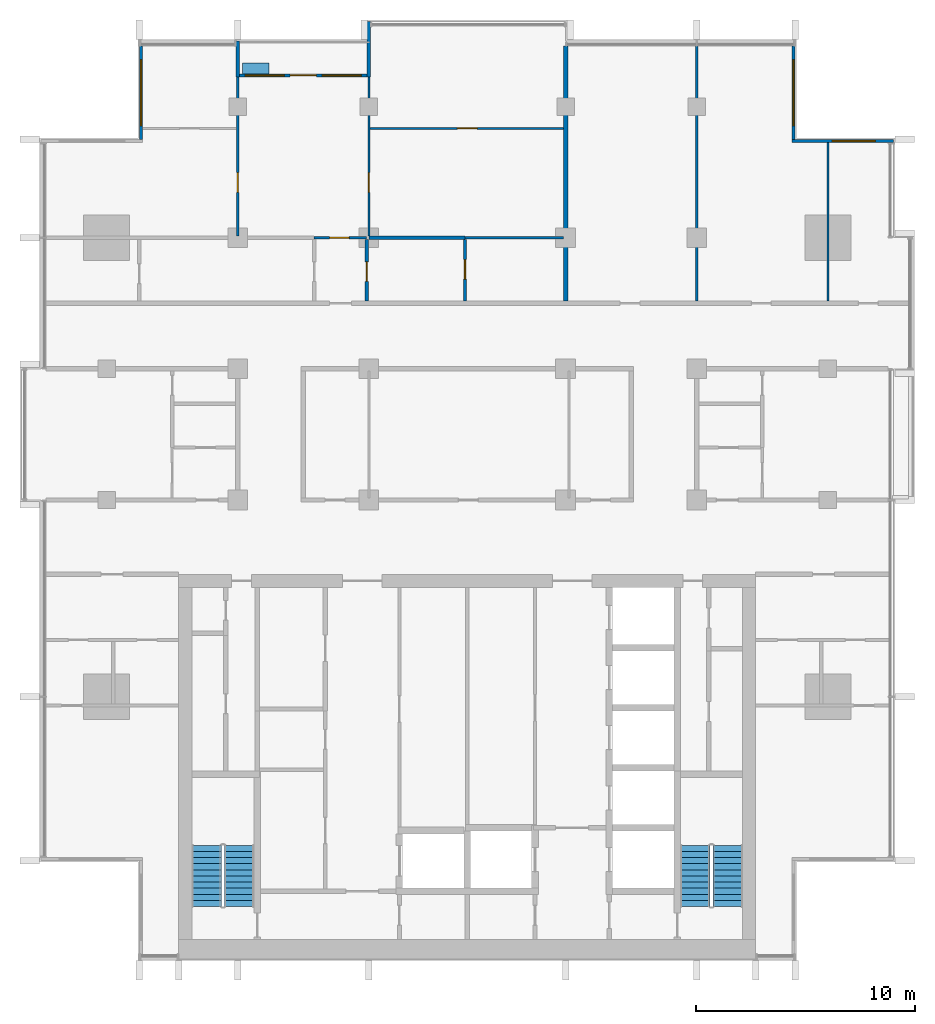
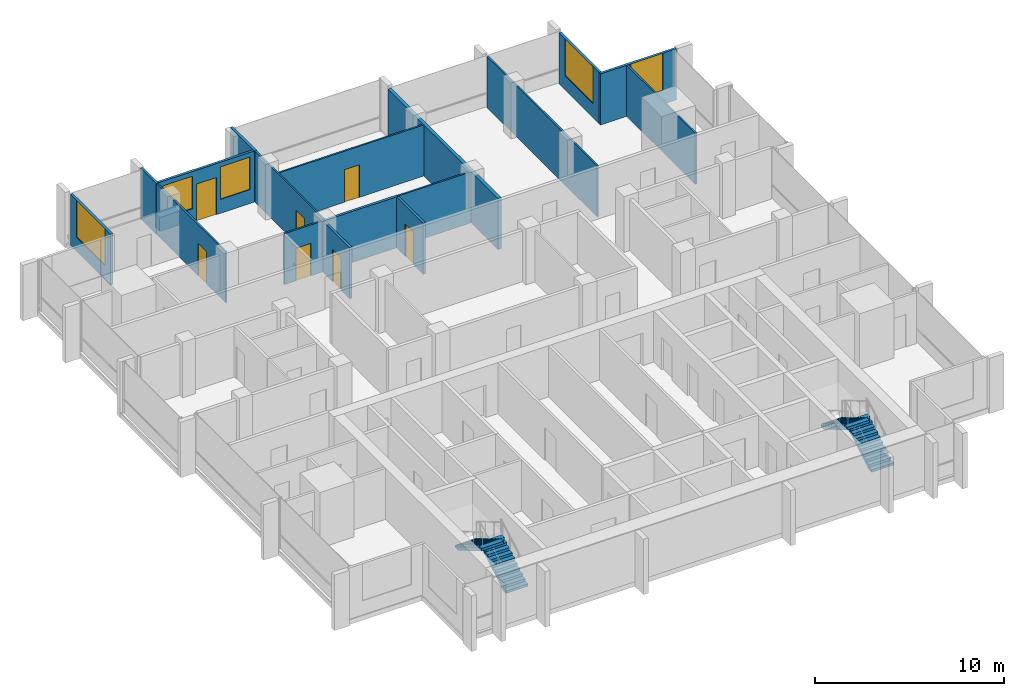
# One storey, part 10 of 15: 18 walls, 7 doors, 5 windows, 4 stair flights, 12 openings, 2 elements without a shape of their own.
"""IFC4 building model written with IfcOpenShell, lengths in metres."""

from ifc_helpers import new_model, si_unit, direction, frame, frame_2d, origin, place, context, subcontext, project, spatial, polyline, rectangle, outline, extrude, material, layer, layer_set, type_object, element, fill, aggregate, save


model = new_model("IFC4")

# Units and contexts
model_context = context("Model", 3, precision=1e-05, world=origin(), true_north=direction((0.0, 1.0)))
body_context = subcontext(model_context, "Body", "Model", "MODEL_VIEW")
ifc_project = project(units=[si_unit("LENGTHUNIT", "METRE"), si_unit("AREAUNIT", "SQUARE_METRE"), si_unit("VOLUMEUNIT", "CUBIC_METRE"), si_unit("PLANEANGLEUNIT", "RADIAN"), si_unit("MASSUNIT", "GRAM", prefix="KILO")], contexts=[model_context])

# Site, building, storey
site_placement = place(None, origin())
site = spatial("IfcSite", under=ifc_project, at=site_placement, CompositionType="ELEMENT")
building_placement = place(site_placement, origin())
building = spatial("IfcBuilding", under=site, at=building_placement, Name="Finial Court Residences", CompositionType="ELEMENT")
storey_placement = place(building_placement, frame((0.0, 0.0, 226.699951171875)))
storey = spatial("IfcBuildingStorey", under=building, at=storey_placement, Name="L57", CompositionType="ELEMENT", Elevation=226.699951171875)

# Wall
ifc_material_1 = material(Name="Gypsum board")
ifc_layer_1 = layer(ifc_material_1, 0.02490234375)
ifc_material_2 = material(Name="Acoustic mineral wool in double frame")
ifc_layer_2 = layer(ifc_material_2, 0.14990234375)
ifc_layer_3 = layer(ifc_material_1, 0.02490234375)
ifc_layer_set_1 = layer_set([ifc_layer_1, ifc_layer_2, ifc_layer_3], Name="Corridor wall 200, 1 hour")
wall_type_1 = type_object("IfcWallType", Name="Corridor wall 200, 1 hour", PredefinedType="PARTITIONING", material=ifc_layer_set_1)
wall_1_placement = place(storey_placement, frame((4.5, 4.60009765625, 0.0), z_axis=(0.0, 0.0, 1.0), x_axis=(0.0, 1.0, 0.0)))
element("IfcWall", 1, at=wall_1_placement, inside=storey, type_object=wall_type_1, Name="Partition L57-035", PredefinedType="PARTITIONING", context=body_context, shape_type="SweptSolid", body=[
    extrude(rectangle(XDim=11.662353515625, YDim=0.199951171875, at=frame_2d((5.8310546875, 0.0))), origin(), (0.0, 0.0, 1.0), 3.300048828125),
])

# Wall, opening, door
ifc_layer_4 = layer(ifc_material_1, 0.012451171875)
ifc_material_3 = material(Name="Mineral wool in light-gauge frame")
ifc_layer_5 = layer(ifc_material_3, 0.074951171875)
ifc_layer_6 = layer(ifc_material_1, 0.012451171875)
ifc_layer_set_2 = layer_set([ifc_layer_4, ifc_layer_5, ifc_layer_6], Name="Gypsum board partition 100")
wall_type_2 = type_object("IfcWallType", Name="Gypsum board partition 100", PredefinedType="PARTITIONING", material=ifc_layer_set_2)
wall_2_placement = place(storey_placement, frame((-7.0, 7.5, 0.0), z_axis=(0.0, 0.0, 1.0), x_axis=(1.0, 0.0, 0.0)))
wall_2 = element("IfcWall", 2, at=wall_2_placement, inside=storey, type_object=wall_type_2, Name="Partition L57-017", PredefinedType="PARTITIONING", context=body_context, shape_type="SweptSolid", body=[
    extrude(rectangle(XDim=2.39990234375, YDim=0.10009765625, at=frame_2d((1.199951171875, 0.0))), origin(), (0.0, 0.0, 1.0), 3.300048828125),
])
opening_1_placement = place(wall_2_placement, frame((0.699951171875, 0.0, 0.0)))
opening_1 = element("IfcOpeningElement", 3, at=opening_1_placement, cuts=wall_2, Name="Opening L57-D020", PredefinedType="OPENING", context=body_context, shape_type="SweptSolid", body=[
    extrude(rectangle(XDim=0.89990234375, YDim=2.10009765625, at=frame_2d((0.449951171875, 1.050048828125))), frame((0.0, 0.06005859375, 0.0), z_axis=(0.0, -1.0, 0.0), x_axis=(1.0, 0.0, 0.0)), (0.0, 0.0, 1.0), 0.1201171875),
])
ifc_material_4 = material(Name="Timber door leaf in timber frame", Category="wood")
door_type_1 = type_object("IfcDoorType", Name="Door set 900 x 2100", OperationType="SINGLE_SWING_LEFT", PredefinedType="DOOR", material=ifc_material_4)
door_1_placement = place(opening_1_placement, origin())
door_1 = element("IfcDoor", 4, at=door_1_placement, inside=storey, type_object=door_type_1, Name="Door L57-D020", OperationType="SINGLE_SWING_LEFT", OverallHeight=2.10009765625, OverallWidth=0.89990234375, PredefinedType="DOOR", context=body_context, shape_type="SweptSolid", body=[
    extrude(rectangle(XDim=0.89990234375, YDim=2.10009765625, at=frame_2d((0.449951171875, 1.050048828125))), frame((0.0, 0.02490234375, 0.0), z_axis=(0.0, -1.0, 0.0), x_axis=(1.0, 0.0, 0.0)), (0.0, 0.0, 1.0), 0.050048828125),
])
fill(opening_1, door_1)

# Wall
wall_3_placement = place(storey_placement, frame((-0.10009765625, 7.5, 0.0), z_axis=(0.0, 0.0, 1.0), x_axis=(1.0, 0.0, 0.0)))
element("IfcWall", 5, at=wall_3_placement, inside=storey, type_object=wall_type_2, Name="Partition L57-018", PredefinedType="PARTITIONING", context=body_context, shape_type="SweptSolid", body=[
    extrude(rectangle(XDim=4.5, YDim=0.10009765625, at=frame_2d((2.25, 0.0))), origin(), (0.0, 0.0, 1.0), 3.300048828125),
])

# Wall, opening, door
wall_4_placement = place(storey_placement, frame((-4.449951171875, 12.5, 0.0), z_axis=(0.0, 0.0, 1.0), x_axis=(1.0, 0.0, 0.0)))
wall_4 = element("IfcWall", 6, at=wall_4_placement, inside=storey, type_object=wall_type_2, Name="Partition L57-022", PredefinedType="PARTITIONING", context=body_context, shape_type="SweptSolid", body=[
    extrude(rectangle(XDim=8.849853515625, YDim=0.10009765625, at=frame_2d((4.4248046875, 0.0))), origin(), (0.0, 0.0, 1.0), 3.300048828125),
])
opening_2_placement = place(wall_4_placement, frame((4.0, 0.0, 0.0)))
opening_2 = element("IfcOpeningElement", 7, at=opening_2_placement, cuts=wall_4, Name="Opening L57-D022", PredefinedType="OPENING", context=body_context, shape_type="SweptSolid", body=[
    extrude(rectangle(XDim=0.89990234375, YDim=2.10009765625, at=frame_2d((0.449951171875, 1.050048828125))), frame((0.0, 0.06005859375, 0.0), z_axis=(0.0, -1.0, 0.0), x_axis=(1.0, 0.0, 0.0)), (0.0, 0.0, 1.0), 0.1201171875),
])
door_2_placement = place(opening_2_placement, origin())
door_2 = element("IfcDoor", 8, at=door_2_placement, inside=storey, type_object=door_type_1, Name="Door L57-D022", OperationType="SINGLE_SWING_LEFT", OverallHeight=2.10009765625, OverallWidth=0.89990234375, PredefinedType="DOOR", context=body_context, shape_type="SweptSolid", body=[
    extrude(rectangle(XDim=0.89990234375, YDim=2.10009765625, at=frame_2d((0.449951171875, 1.050048828125))), frame((0.0, 0.02490234375, 0.0), z_axis=(0.0, -1.0, 0.0), x_axis=(1.0, 0.0, 0.0)), (0.0, 0.0, 1.0), 0.050048828125),
])
fill(opening_2, door_2)

wall_5_placement = place(storey_placement, frame((-10.5, 7.574951171875, 0.0), z_axis=(0.0, 0.0, 1.0), x_axis=(0.0, 1.0, 0.0)))
wall_5 = element("IfcWall", 9, at=wall_5_placement, inside=storey, type_object=wall_type_2, Name="Partition L57-028", PredefinedType="PARTITIONING", context=body_context, shape_type="SweptSolid", body=[
    extrude(rectangle(XDim=7.275146484375, YDim=0.10009765625, at=frame_2d((3.6376953125, 0.0))), origin(), (0.0, 0.0, 1.0), 3.300048828125),
])
opening_3_placement = place(wall_5_placement, frame((2.0, 0.0, 0.0)))
opening_3 = element("IfcOpeningElement", 10, at=opening_3_placement, cuts=wall_5, Name="Opening L57-D026", PredefinedType="OPENING", context=body_context, shape_type="SweptSolid", body=[
    extrude(rectangle(XDim=0.89990234375, YDim=2.10009765625, at=frame_2d((0.449951171875, 1.050048828125))), frame((0.0, 0.06005859375, 0.0), z_axis=(0.0, -1.0, 0.0), x_axis=(1.0, 0.0, 0.0)), (0.0, 0.0, 1.0), 0.1201171875),
])
door_3_placement = place(opening_3_placement, origin())
door_3 = element("IfcDoor", 11, at=door_3_placement, inside=storey, type_object=door_type_1, Name="Door L57-D026", OperationType="SINGLE_SWING_RIGHT", OverallHeight=2.10009765625, OverallWidth=0.89990234375, PredefinedType="DOOR", context=body_context, shape_type="SweptSolid", body=[
    extrude(rectangle(XDim=0.89990234375, YDim=2.10009765625, at=frame_2d((0.449951171875, 1.050048828125))), frame((0.0, 0.02490234375, 0.0), z_axis=(0.0, -1.0, 0.0), x_axis=(1.0, 0.0, 0.0)), (0.0, 0.0, 1.0), 0.050048828125),
])
fill(opening_3, door_3)

wall_6_placement = place(storey_placement, frame((-4.5, 7.574951171875, 0.0), z_axis=(0.0, 0.0, 1.0), x_axis=(0.0, 1.0, 0.0)))
wall_6 = element("IfcWall", 12, at=wall_6_placement, inside=storey, type_object=wall_type_2, Name="Partition L57-033", PredefinedType="PARTITIONING", context=body_context, shape_type="SweptSolid", body=[
    extrude(rectangle(XDim=7.275146484375, YDim=0.10009765625, at=frame_2d((3.6376953125, 0.0))), origin(), (0.0, 0.0, 1.0), 3.300048828125),
])
opening_4_placement = place(wall_6_placement, frame((2.0, 0.0, 0.0)))
opening_4 = element("IfcOpeningElement", 13, at=opening_4_placement, cuts=wall_6, Name="Opening L57-D029", PredefinedType="OPENING", context=body_context, shape_type="SweptSolid", body=[
    extrude(rectangle(XDim=0.89990234375, YDim=2.10009765625, at=frame_2d((0.449951171875, 1.050048828125))), frame((0.0, 0.06005859375, 0.0), z_axis=(0.0, -1.0, 0.0), x_axis=(1.0, 0.0, 0.0)), (0.0, 0.0, 1.0), 0.1201171875),
])
door_4_placement = place(opening_4_placement, origin())
door_4 = element("IfcDoor", 14, at=door_4_placement, inside=storey, type_object=door_type_1, Name="Door L57-D029", OperationType="SINGLE_SWING_LEFT", OverallHeight=2.10009765625, OverallWidth=0.89990234375, PredefinedType="DOOR", context=body_context, shape_type="SweptSolid", body=[
    extrude(rectangle(XDim=0.89990234375, YDim=2.10009765625, at=frame_2d((0.449951171875, 1.050048828125))), frame((0.0, 0.02490234375, 0.0), z_axis=(0.0, -1.0, 0.0), x_axis=(1.0, 0.0, 0.0)), (0.0, 0.0, 1.0), 0.050048828125),
])
fill(opening_4, door_4)

# Walls
wall_7_placement = place(storey_placement, frame((10.5, 4.60009765625, 0.0), z_axis=(0.0, 0.0, 1.0), x_axis=(0.0, 1.0, 0.0)))
element("IfcWall", 15, at=wall_7_placement, inside=storey, type_object=wall_type_2, Name="Partition L57-039", PredefinedType="PARTITIONING", context=body_context, shape_type="SweptSolid", body=[
    extrude(rectangle(XDim=11.662353515625, YDim=0.10009765625, at=frame_2d((5.8310546875, 0.0))), origin(), (0.0, 0.0, 1.0), 3.300048828125),
])
wall_8_placement = place(storey_placement, frame((16.5, 4.60009765625, 0.0), z_axis=(0.0, 0.0, 1.0), x_axis=(0.0, 1.0, 0.0)))
element("IfcWall", 16, at=wall_8_placement, inside=storey, type_object=wall_type_2, Name="Partition L57-043", PredefinedType="PARTITIONING", context=body_context, shape_type="SweptSolid", body=[
    extrude(rectangle(XDim=7.25, YDim=0.10009765625, at=frame_2d((3.625, 0.0))), origin(), (0.0, 0.0, 1.0), 3.300048828125),
])
ifc_material_5 = material(Name="Moisture-resistant gypsum board")
ifc_layer_7 = layer(ifc_material_5, 0.012451171875)
ifc_layer_8 = layer(ifc_material_3, 0.125)
ifc_layer_9 = layer(ifc_material_5, 0.012451171875)
ifc_layer_set_3 = layer_set([ifc_layer_7, ifc_layer_8, ifc_layer_9], Name="Gypsum board wet-area partition 150")
wall_type_3 = type_object("IfcWallType", Name="Gypsum board wet-area partition 150", PredefinedType="PARTITIONING", material=ifc_layer_set_3)
wall_9_placement = place(storey_placement, frame((-4.5, 7.5, 0.0), z_axis=(0.0, 0.0, 1.0), x_axis=(1.0, 0.0, 0.0)))
element("IfcWall", 17, at=wall_9_placement, inside=storey, type_object=wall_type_3, Name="Partition L57-020", PredefinedType="PARTITIONING", context=body_context, shape_type="SweptSolid", body=[
    extrude(rectangle(XDim=4.39990234375, YDim=0.14990234375, at=frame_2d((2.199951171875, 0.0))), origin(), (0.0, 0.0, 1.0), 3.300048828125),
])

# Wall, opening, door
wall_10_placement = place(storey_placement, frame((-4.60009765625, 4.60009765625, 0.0), z_axis=(0.0, 0.0, 1.0), x_axis=(0.0, 1.0, 0.0)))
wall_10 = element("IfcWall", 18, at=wall_10_placement, inside=storey, type_object=wall_type_3, Name="Partition L57-031", PredefinedType="PARTITIONING", context=body_context, shape_type="SweptSolid", body=[
    extrude(rectangle(XDim=2.824951171875, YDim=0.14990234375, at=frame_2d((1.41259765625, 0.0))), origin(), (0.0, 0.0, 1.0), 3.300048828125),
])
opening_5_placement = place(wall_10_placement, frame((0.89990234375, 0.0, 0.0)))
opening_5 = element("IfcOpeningElement", 19, at=opening_5_placement, cuts=wall_10, Name="Opening L57-D028", PredefinedType="OPENING", context=body_context, shape_type="SweptSolid", body=[
    extrude(rectangle(XDim=0.89990234375, YDim=2.10009765625, at=frame_2d((0.449951171875, 1.050048828125))), frame((0.0, 0.0849609375, 0.0), z_axis=(0.0, -1.0, 0.0), x_axis=(1.0, 0.0, 0.0)), (0.0, 0.0, 1.0), 0.169921875),
])
door_5_placement = place(opening_5_placement, origin())
door_5 = element("IfcDoor", 20, at=door_5_placement, inside=storey, type_object=door_type_1, Name="Door L57-D028", OperationType="SINGLE_SWING_RIGHT", OverallHeight=2.10009765625, OverallWidth=0.89990234375, PredefinedType="DOOR", context=body_context, shape_type="SweptSolid", body=[
    extrude(rectangle(XDim=0.89990234375, YDim=2.10009765625, at=frame_2d((0.449951171875, 1.050048828125))), frame((0.0, 0.02490234375, 0.0), z_axis=(0.0, -1.0, 0.0), x_axis=(1.0, 0.0, 0.0)), (0.0, 0.0, 1.0), 0.050048828125),
])
fill(opening_5, door_5)

wall_11_placement = place(storey_placement, frame((-0.10009765625, 4.60009765625, 0.0), z_axis=(0.0, 0.0, 1.0), x_axis=(0.0, 1.0, 0.0)))
wall_11 = element("IfcWall", 21, at=wall_11_placement, inside=storey, type_object=wall_type_3, Name="Partition L57-034", PredefinedType="PARTITIONING", context=body_context, shape_type="SweptSolid", body=[
    extrude(rectangle(XDim=2.824951171875, YDim=0.14990234375, at=frame_2d((1.41259765625, 0.0))), origin(), (0.0, 0.0, 1.0), 3.300048828125),
])
opening_6_placement = place(wall_11_placement, frame((1.0, 0.0, 0.0)))
opening_6 = element("IfcOpeningElement", 22, at=opening_6_placement, cuts=wall_11, Name="Opening L57-D030", PredefinedType="OPENING", context=body_context, shape_type="SweptSolid", body=[
    extrude(rectangle(XDim=0.89990234375, YDim=2.10009765625, at=frame_2d((0.449951171875, 1.050048828125))), frame((0.0, 0.0849609375, 0.0), z_axis=(0.0, -1.0, 0.0), x_axis=(1.0, 0.0, 0.0)), (0.0, 0.0, 1.0), 0.169921875),
])
door_6_placement = place(opening_6_placement, origin())
door_6 = element("IfcDoor", 23, at=door_6_placement, inside=storey, type_object=door_type_1, Name="Door L57-D030", OperationType="SINGLE_SWING_RIGHT", OverallHeight=2.10009765625, OverallWidth=0.89990234375, PredefinedType="DOOR", context=body_context, shape_type="SweptSolid", body=[
    extrude(rectangle(XDim=0.89990234375, YDim=2.10009765625, at=frame_2d((0.449951171875, 1.050048828125))), frame((0.0, 0.02490234375, 0.0), z_axis=(0.0, -1.0, 0.0), x_axis=(1.0, 0.0, 0.0)), (0.0, 0.0, 1.0), 0.050048828125),
])
fill(opening_6, door_6)

# Wall, opening, window
ifc_material_6 = material(Name="Natural limestone", Category="masonry")
ifc_layer_10 = layer(ifc_material_6, 0.14990234375)
ifc_layer_set_4 = layer_set([ifc_layer_10], Name="Limestone clad wall 150")
wall_type_4 = type_object("IfcWallType", Name="Limestone clad wall 150", PredefinedType="SOLIDWALL", material=ifc_layer_set_4)
wall_12_placement = place(storey_placement, frame((-14.925048828125, 12.0, 0.0), z_axis=(0.0, 0.0, 1.0), x_axis=(0.0, 1.0, 0.0)))
wall_12 = element("IfcWall", 24, at=wall_12_placement, inside=storey, type_object=wall_type_4, Name="E-L57-NWW16", PredefinedType="SOLIDWALL", context=body_context, shape_type="SweptSolid", body=[
    extrude(rectangle(XDim=4.262451171875, YDim=0.14990234375, at=frame_2d((2.13134765625, 0.0))), origin(), (0.0, 0.0, 1.0), 3.300048828125),
])
opening_7_placement = place(wall_12_placement, frame((0.631103515625, 0.0, 0.89990234375)))
opening_7 = element("IfcOpeningElement", 25, at=opening_7_placement, cuts=wall_12, Name="Opening WE57-05", PredefinedType="OPENING", context=body_context, shape_type="SweptSolid", body=[
    extrude(rectangle(XDim=3.0, YDim=2.39990234375, at=frame_2d((1.5, 1.199951171875))), frame((0.0, 0.0849609375, 0.0), z_axis=(0.0, -1.0, 0.0), x_axis=(1.0, 0.0, 0.0)), (0.0, 0.0, 1.0), 0.169921875),
])
ifc_material_7 = material(Name="Clear low-e glass", Category="glass")
window_type_1 = type_object("IfcWindowType", Name="Corner window 3000 x 2400", PartitioningType="SINGLE_PANEL", PredefinedType="WINDOW", material=ifc_material_7)
window_1_placement = place(opening_7_placement, origin())
window_1 = element("IfcWindow", 26, at=window_1_placement, inside=storey, type_object=window_type_1, Name="E-L57-NWW16-W1", OverallHeight=2.39990234375, OverallWidth=3.0, PartitioningType="SINGLE_PANEL", PredefinedType="WINDOW", context=body_context, shape_type="SweptSolid", body=[
    extrude(rectangle(XDim=3.0, YDim=2.39990234375, at=frame_2d((1.5, 1.199951171875))), frame((0.0, 0.030029296875, 0.0), z_axis=(0.0, -1.0, 0.0), x_axis=(1.0, 0.0, 0.0)), (0.0, 0.0, 1.0), 0.06005859375),
])
fill(opening_7, window_1)

wall_13_placement = place(storey_placement, frame((14.925048828125, 16.262451171875, 0.0), z_axis=(0.0, 0.0, 1.0), x_axis=(0.0, -1.0, 0.0)))
wall_13 = element("IfcWall", 27, at=wall_13_placement, inside=storey, type_object=wall_type_4, Name="E-L57-NWE18", PredefinedType="SOLIDWALL", context=body_context, shape_type="SweptSolid", body=[
    extrude(rectangle(XDim=4.262451171875, YDim=0.14990234375, at=frame_2d((2.13134765625, 0.0))), origin(), (0.0, 0.0, 1.0), 3.300048828125),
])
opening_8_placement = place(wall_13_placement, frame((0.631103515625, 0.0, 0.89990234375)))
opening_8 = element("IfcOpeningElement", 28, at=opening_8_placement, cuts=wall_13, Name="Opening WE57-07", PredefinedType="OPENING", context=body_context, shape_type="SweptSolid", body=[
    extrude(rectangle(XDim=3.0, YDim=2.39990234375, at=frame_2d((1.5, 1.199951171875))), frame((0.0, 0.0849609375, 0.0), z_axis=(0.0, -1.0, 0.0), x_axis=(1.0, 0.0, 0.0)), (0.0, 0.0, 1.0), 0.169921875),
])
window_2_placement = place(opening_8_placement, origin())
window_2 = element("IfcWindow", 29, at=window_2_placement, inside=storey, type_object=window_type_1, Name="E-L57-NWE18-W1", OverallHeight=2.39990234375, OverallWidth=3.0, PartitioningType="SINGLE_PANEL", PredefinedType="WINDOW", context=body_context, shape_type="SweptSolid", body=[
    extrude(rectangle(XDim=3.0, YDim=2.39990234375, at=frame_2d((1.5, 1.199951171875))), frame((0.0, 0.030029296875, 0.0), z_axis=(0.0, -1.0, 0.0), x_axis=(1.0, 0.0, 0.0)), (0.0, 0.0, 1.0), 0.06005859375),
])
fill(opening_8, window_2)

wall_14_placement = place(storey_placement, frame((14.85009765625, 11.925048828125, 0.0), z_axis=(0.0, 0.0, 1.0), x_axis=(1.0, 0.0, 0.0)))
wall_14 = element("IfcWall", 30, at=wall_14_placement, inside=storey, type_object=wall_type_4, Name="E-L57-NWN19", PredefinedType="SOLIDWALL", context=body_context, shape_type="SweptSolid", body=[
    extrude(rectangle(XDim=4.64990234375, YDim=0.14990234375, at=frame_2d((2.324951171875, 0.0))), origin(), (0.0, 0.0, 1.0), 3.300048828125),
])
opening_9_placement = place(wall_14_placement, frame((1.85009765625, 0.0, 0.89990234375)))
opening_9 = element("IfcOpeningElement", 31, at=opening_9_placement, cuts=wall_14, Name="Opening WE57-08", PredefinedType="OPENING", context=body_context, shape_type="SweptSolid", body=[
    extrude(rectangle(XDim=1.97509765625, YDim=2.39990234375, at=frame_2d((0.987548828125, 1.199951171875))), frame((0.0, 0.0849609375, 0.0), z_axis=(0.0, -1.0, 0.0), x_axis=(1.0, 0.0, 0.0)), (0.0, 0.0, 1.0), 0.169921875),
])
window_type_2 = type_object("IfcWindowType", Name="Corner window 1975 x 2400", PartitioningType="SINGLE_PANEL", PredefinedType="WINDOW", material=ifc_material_7)
window_3_placement = place(opening_9_placement, origin())
window_3 = element("IfcWindow", 32, at=window_3_placement, inside=storey, type_object=window_type_2, Name="E-L57-NWN19-W1", OverallHeight=2.39990234375, OverallWidth=1.97509765625, PartitioningType="SINGLE_PANEL", PredefinedType="WINDOW", context=body_context, shape_type="SweptSolid", body=[
    extrude(rectangle(XDim=1.97509765625, YDim=2.39990234375, at=frame_2d((0.987548828125, 1.199951171875))), frame((0.0, 0.030029296875, 0.0), z_axis=(0.0, -1.0, 0.0), x_axis=(1.0, 0.0, 0.0)), (0.0, 0.0, 1.0), 0.06005859375),
])
fill(opening_9, window_3)

# Walls
wall_15_placement = place(storey_placement, frame((-10.5, 14.85009765625, 0.0), z_axis=(0.0, 0.0, 1.0), x_axis=(0.0, 1.0, 0.0)))
element("IfcWall", 33, at=wall_15_placement, inside=storey, type_object=wall_type_4, Name="E-L57-BALN2-P1", PredefinedType="SOLIDWALL", context=body_context, shape_type="SweptSolid", body=[
    extrude(rectangle(XDim=1.64990234375, YDim=0.14990234375, at=frame_2d((0.824951171875, 0.0))), origin(), (0.0, 0.0, 1.0), 3.300048828125),
])
wall_16_placement = place(storey_placement, frame((-4.5, 14.85009765625, 0.0), z_axis=(0.0, 0.0, 1.0), x_axis=(0.0, 1.0, 0.0)))
element("IfcWall", 34, at=wall_16_placement, inside=storey, type_object=wall_type_4, Name="E-L57-BALN2-P2", PredefinedType="SOLIDWALL", context=body_context, shape_type="SweptSolid", body=[
    extrude(rectangle(XDim=2.5498046875, YDim=0.14990234375, at=frame_2d((1.27490234375, 0.0))), origin(), (0.0, 0.0, 1.0), 3.300048828125),
])

# Wall, openings, door, windows
wall_17_placement = place(storey_placement, frame((-10.425048828125, 14.925048828125, 0.0), z_axis=(0.0, 0.0, 1.0), x_axis=(1.0, 0.0, 0.0)))
wall_17 = element("IfcWall", 35, at=wall_17_placement, inside=storey, type_object=wall_type_4, Name="E-L57-L57-BALN2-W", PredefinedType="SOLIDWALL", context=body_context, shape_type="SweptSolid", body=[
    extrude(rectangle(XDim=5.85009765625, YDim=0.14990234375, at=frame_2d((2.925048828125, 0.0))), origin(), (0.0, 0.0, 1.0), 3.300048828125),
])
opening_10_placement = place(wall_17_placement, frame((2.324951171875, 0.0, 0.0)))
opening_10 = element("IfcOpeningElement", 36, at=opening_10_placement, cuts=wall_17, Name="Opening DE57-01", PredefinedType="OPENING", context=body_context, shape_type="SweptSolid", body=[
    extrude(rectangle(XDim=1.199951171875, YDim=2.39990234375, at=frame_2d((0.60009765625, 1.199951171875))), frame((0.0, 0.0849609375, 0.0), z_axis=(0.0, -1.0, 0.0), x_axis=(1.0, 0.0, 0.0)), (0.0, 0.0, 1.0), 0.169921875),
])
opening_11_placement = place(wall_17_placement, frame((0.262451171875, 0.0, 0.89990234375)))
opening_11 = element("IfcOpeningElement", 37, at=opening_11_placement, cuts=wall_17, Name="Opening WE57-09", PredefinedType="OPENING", context=body_context, shape_type="SweptSolid", body=[
    extrude(rectangle(XDim=1.800048828125, YDim=2.10009765625, at=frame_2d((0.89990234375, 1.050048828125))), frame((0.0, 0.0849609375, 0.0), z_axis=(0.0, -1.0, 0.0), x_axis=(1.0, 0.0, 0.0)), (0.0, 0.0, 1.0), 0.169921875),
])
opening_12_placement = place(wall_17_placement, frame((3.78759765625, 0.0, 0.89990234375)))
opening_12 = element("IfcOpeningElement", 38, at=opening_12_placement, cuts=wall_17, Name="Opening WE57-10", PredefinedType="OPENING", context=body_context, shape_type="SweptSolid", body=[
    extrude(rectangle(XDim=1.800048828125, YDim=2.10009765625, at=frame_2d((0.89990234375, 1.050048828125))), frame((0.0, 0.0849609375, 0.0), z_axis=(0.0, -1.0, 0.0), x_axis=(1.0, 0.0, 0.0)), (0.0, 0.0, 1.0), 0.169921875),
])
ifc_material_8 = material(Name="Bronze anodised aluminium", Category="aluminium")
door_type_2 = type_object("IfcDoorType", Name="Balcony door 1200 x 2400", OperationType="SINGLE_SWING_LEFT", PredefinedType="DOOR", material=ifc_material_8)
door_7_placement = place(opening_10_placement, origin())
door_7 = element("IfcDoor", 39, at=door_7_placement, inside=storey, type_object=door_type_2, Name="E-L57-L57-BALN2-W-D", OperationType="SINGLE_SWING_LEFT", OverallHeight=2.39990234375, OverallWidth=1.199951171875, PredefinedType="DOOR", context=body_context, shape_type="SweptSolid", body=[
    extrude(rectangle(XDim=1.199951171875, YDim=2.39990234375, at=frame_2d((0.60009765625, 1.199951171875))), frame((0.0, 0.02490234375, 0.0), z_axis=(0.0, -1.0, 0.0), x_axis=(1.0, 0.0, 0.0)), (0.0, 0.0, 1.0), 0.050048828125),
])
fill(opening_10, door_7)
window_type_3 = type_object("IfcWindowType", Name="Balcony window 1800 x 2100", PartitioningType="SINGLE_PANEL", PredefinedType="WINDOW", material=ifc_material_7)
window_4_placement = place(opening_11_placement, origin())
window_4 = element("IfcWindow", 40, at=window_4_placement, inside=storey, type_object=window_type_3, Name="E-L57-L57-BALN2-W-W1", OverallHeight=2.10009765625, OverallWidth=1.800048828125, PartitioningType="SINGLE_PANEL", PredefinedType="WINDOW", context=body_context, shape_type="SweptSolid", body=[
    extrude(rectangle(XDim=1.800048828125, YDim=2.10009765625, at=frame_2d((0.89990234375, 1.050048828125))), frame((0.0, 0.030029296875, 0.0), z_axis=(0.0, -1.0, 0.0), x_axis=(1.0, 0.0, 0.0)), (0.0, 0.0, 1.0), 0.06005859375),
])
fill(opening_11, window_4)
window_5_placement = place(opening_12_placement, origin())
window_5 = element("IfcWindow", 41, at=window_5_placement, inside=storey, type_object=window_type_3, Name="E-L57-L57-BALN2-W-W2", OverallHeight=2.10009765625, OverallWidth=1.800048828125, PartitioningType="SINGLE_PANEL", PredefinedType="WINDOW", context=body_context, shape_type="SweptSolid", body=[
    extrude(rectangle(XDim=1.800048828125, YDim=2.10009765625, at=frame_2d((0.89990234375, 1.050048828125))), frame((0.0, 0.030029296875, 0.0), z_axis=(0.0, -1.0, 0.0), x_axis=(1.0, 0.0, 0.0)), (0.0, 0.0, 1.0), 0.06005859375),
])
fill(opening_12, window_5)

# Wall
ifc_material_9 = material(Name="Concrete C40/50", Category="concrete")
ifc_layer_11 = layer(ifc_material_9, 0.10009765625)
ifc_material_10 = material(Name="Planting soil", Category="soil")
ifc_layer_12 = layer(ifc_material_10, 0.300048828125)
ifc_layer_13 = layer(ifc_material_9, 0.10009765625)
ifc_layer_set_5 = layer_set([ifc_layer_11, ifc_layer_12, ifc_layer_13], Name="Planter wall, balcony")
wall_type_5 = type_object("IfcWallType", Name="Planter wall, balcony", PredefinedType="USERDEFINED", material=ifc_layer_set_5)
wall_18_placement = place(storey_placement, frame((-10.27490234375, 15.25, 0.0), z_axis=(0.0, 0.0, 1.0), x_axis=(1.0, 0.0, 0.0)))
element("IfcWall", 42, at=wall_18_placement, inside=storey, type_object=wall_type_5, Name="E-L57-BALN2-PL", ObjectType="PLANTER", PredefinedType="USERDEFINED", context=body_context, shape_type="SweptSolid", body=[
    extrude(rectangle(XDim=1.199951171875, YDim=0.5, at=frame_2d((0.60009765625, 0.0))), origin(), (0.0, 0.0, 1.0), 0.900146484375),
])

# Stair, stair flights
ifc_material_11 = material(Name="Concrete C50/60", Category="concrete")
stair_type = type_object("IfcStairType", Name="Exit stair 22 risers of 163.6 mm", PredefinedType="HALF_TURN_STAIR", material=ifc_material_11)
stair_1_placement = place(storey_placement, origin())
stair_1 = element("IfcStair", 43, at=stair_1_placement, inside=storey, type_object=stair_type, Name="L57 Exit stair ST-1", PredefinedType="HALF_TURN_STAIR")
stair_flight_type = type_object("IfcStairFlightType", Name="Exit stair flight", PredefinedType="STRAIGHT", material=ifc_material_11)
stair_flight_1_placement = place(storey_placement, frame((-10.425048828125, -23.10009765625, 0.0), z_axis=(0.0, 0.0, 1.0), x_axis=(0.0, 1.0, 0.0)))
stair_flight_1 = element("IfcStairFlight", 44, at=stair_flight_1_placement, type_object=stair_flight_type, Name="ST-1 flight 1", NumberOfRisers=11, NumberOfTreads=10, PredefinedType="STRAIGHT", RiserHeight=0.163636364, TreadLength=0.28, context=body_context, shape_type="SweptSolid", body=[
    extrude(outline(polyline([(0.0, 0.0), (0.0, 0.16357421875), (0.280029296875, 0.16357421875), (0.280029296875, 0.327392578125), (0.56005859375, 0.327392578125), (0.56005859375, 0.490966796875), (0.840087890625, 0.490966796875), (0.840087890625, 0.654541015625), (1.1201171875, 0.654541015625), (1.1201171875, 0.818115234375), (1.39990234375, 0.818115234375), (1.39990234375, 0.98193359375), (1.679931640625, 0.98193359375), (1.679931640625, 1.1455078125), (1.9599609375, 1.1455078125), (1.9599609375, 1.30908203125), (2.239990234375, 1.30908203125), (2.239990234375, 1.47265625), (2.52001953125, 1.47265625), (2.52001953125, 1.636474609375), (2.800048828125, 1.636474609375), (2.800048828125, 1.800048828125), (2.800048828125, 1.462646484375), (0.297119140625, 0.0), (0.0, 0.0)])), frame((0.0, 0.675048828125, 0.0), z_axis=(0.0, -1.0, 0.0), x_axis=(1.0, 0.0, 0.0)), (0.0, 0.0, 1.0), 1.35009765625),
])
stair_flight_2_placement = place(storey_placement, frame((-11.925048828125, -20.300048828125, 1.800048828125), z_axis=(0.0, 0.0, 1.0), x_axis=(0.0, -1.0, 0.0)))
stair_flight_2 = element("IfcStairFlight", 45, at=stair_flight_2_placement, type_object=stair_flight_type, Name="ST-1 flight 2", NumberOfRisers=11, NumberOfTreads=10, PredefinedType="STRAIGHT", RiserHeight=0.163636364, TreadLength=0.28, context=body_context, shape_type="SweptSolid", body=[
    extrude(outline(polyline([(0.0, 0.0), (0.0, 0.16357421875), (0.280029296875, 0.16357421875), (0.280029296875, 0.327392578125), (0.56005859375, 0.327392578125), (0.56005859375, 0.490966796875), (0.840087890625, 0.490966796875), (0.840087890625, 0.654541015625), (1.1201171875, 0.654541015625), (1.1201171875, 0.818115234375), (1.39990234375, 0.818115234375), (1.39990234375, 0.98193359375), (1.679931640625, 0.98193359375), (1.679931640625, 1.1455078125), (1.9599609375, 1.1455078125), (1.9599609375, 1.30908203125), (2.239990234375, 1.30908203125), (2.239990234375, 1.47265625), (2.52001953125, 1.47265625), (2.52001953125, 1.636474609375), (2.800048828125, 1.636474609375), (2.800048828125, 1.800048828125), (2.800048828125, 1.462646484375), (0.297119140625, 0.0), (0.0, 0.0)])), frame((0.0, 0.675048828125, 0.0), z_axis=(0.0, -1.0, 0.0), x_axis=(1.0, 0.0, 0.0)), (0.0, 0.0, 1.0), 1.35009765625),
])
aggregate(stair_1, [stair_flight_1, stair_flight_2])

stair_2_placement = place(storey_placement, origin())
stair_2 = element("IfcStair", 46, at=stair_2_placement, inside=storey, type_object=stair_type, Name="L57 Exit stair ST-2", PredefinedType="HALF_TURN_STAIR")
stair_flight_3_placement = place(storey_placement, frame((11.925048828125, -23.10009765625, 0.0), z_axis=(0.0, 0.0, 1.0), x_axis=(0.0, 1.0, 0.0)))
stair_flight_3 = element("IfcStairFlight", 47, at=stair_flight_3_placement, type_object=stair_flight_type, Name="ST-2 flight 1", NumberOfRisers=11, NumberOfTreads=10, PredefinedType="STRAIGHT", RiserHeight=0.163636364, TreadLength=0.28, context=body_context, shape_type="SweptSolid", body=[
    extrude(outline(polyline([(0.0, 0.0), (0.0, 0.16357421875), (0.280029296875, 0.16357421875), (0.280029296875, 0.327392578125), (0.56005859375, 0.327392578125), (0.56005859375, 0.490966796875), (0.840087890625, 0.490966796875), (0.840087890625, 0.654541015625), (1.1201171875, 0.654541015625), (1.1201171875, 0.818115234375), (1.39990234375, 0.818115234375), (1.39990234375, 0.98193359375), (1.679931640625, 0.98193359375), (1.679931640625, 1.1455078125), (1.9599609375, 1.1455078125), (1.9599609375, 1.30908203125), (2.239990234375, 1.30908203125), (2.239990234375, 1.47265625), (2.52001953125, 1.47265625), (2.52001953125, 1.636474609375), (2.800048828125, 1.636474609375), (2.800048828125, 1.800048828125), (2.800048828125, 1.462646484375), (0.297119140625, 0.0), (0.0, 0.0)])), frame((0.0, 0.675048828125, 0.0), z_axis=(0.0, -1.0, 0.0), x_axis=(1.0, 0.0, 0.0)), (0.0, 0.0, 1.0), 1.35009765625),
])
stair_flight_4_placement = place(storey_placement, frame((10.425048828125, -20.300048828125, 1.800048828125), z_axis=(0.0, 0.0, 1.0), x_axis=(0.0, -1.0, 0.0)))
stair_flight_4 = element("IfcStairFlight", 48, at=stair_flight_4_placement, type_object=stair_flight_type, Name="ST-2 flight 2", NumberOfRisers=11, NumberOfTreads=10, PredefinedType="STRAIGHT", RiserHeight=0.163636364, TreadLength=0.28, context=body_context, shape_type="SweptSolid", body=[
    extrude(outline(polyline([(0.0, 0.0), (0.0, 0.16357421875), (0.280029296875, 0.16357421875), (0.280029296875, 0.327392578125), (0.56005859375, 0.327392578125), (0.56005859375, 0.490966796875), (0.840087890625, 0.490966796875), (0.840087890625, 0.654541015625), (1.1201171875, 0.654541015625), (1.1201171875, 0.818115234375), (1.39990234375, 0.818115234375), (1.39990234375, 0.98193359375), (1.679931640625, 0.98193359375), (1.679931640625, 1.1455078125), (1.9599609375, 1.1455078125), (1.9599609375, 1.30908203125), (2.239990234375, 1.30908203125), (2.239990234375, 1.47265625), (2.52001953125, 1.47265625), (2.52001953125, 1.636474609375), (2.800048828125, 1.636474609375), (2.800048828125, 1.800048828125), (2.800048828125, 1.462646484375), (0.297119140625, 0.0), (0.0, 0.0)])), frame((0.0, 0.675048828125, 0.0), z_axis=(0.0, -1.0, 0.0), x_axis=(1.0, 0.0, 0.0)), (0.0, 0.0, 1.0), 1.35009765625),
])
aggregate(stair_2, [stair_flight_3, stair_flight_4])

save(model, "model.ifc")
